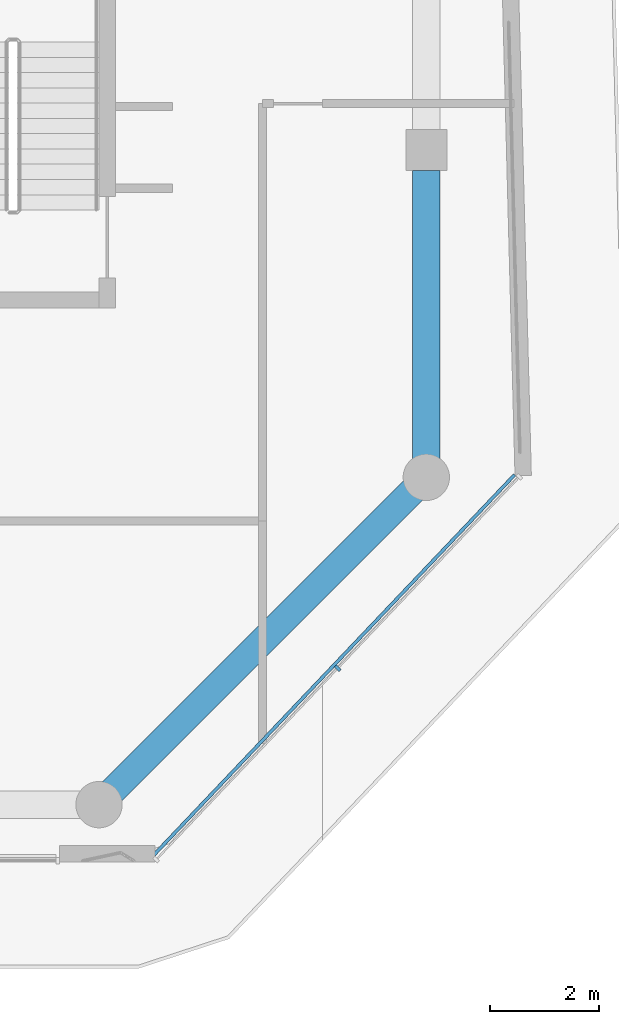
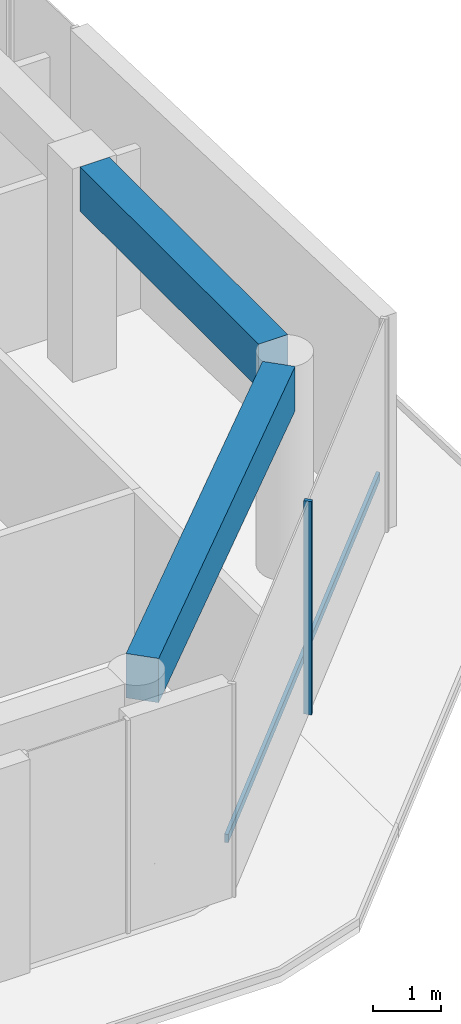
# One storey, part 3 of 20: 2 beams, 2 members, 1 element without a shape of its own.
"""IFC4 building model written with IfcOpenShell, lengths in metres."""

from ifc_helpers import new_model, si_unit, direction, frame, origin, origin_2d, place, context, subcontext, project, spatial, rectangle, extrude, material, layer, layer_set, material_profile, profile_set, type_object, element, aggregate, save


model = new_model("IFC4")

# Units and contexts
model_context = context("Model", 3, precision=1e-05, world=origin(), true_north=direction((0.0, 1.0)))
body_context = subcontext(model_context, "Body", "Model", "MODEL_VIEW")
ifc_project = project(units=[si_unit("LENGTHUNIT", "METRE"), si_unit("AREAUNIT", "SQUARE_METRE"), si_unit("VOLUMEUNIT", "CUBIC_METRE"), si_unit("PLANEANGLEUNIT", "RADIAN"), si_unit("MASSUNIT", "GRAM", prefix="KILO")], contexts=[model_context])

# Site, building, storey
site_placement = place(None, origin())
site = spatial("IfcSite", under=ifc_project, at=site_placement, CompositionType="ELEMENT")
building_placement = place(site_placement, origin())
building = spatial("IfcBuilding", under=site, at=building_placement, Name="Welwitschia Terrace Campus", CompositionType="ELEMENT")
storey_placement = place(building_placement, frame((0.0, 0.0, 293.60009765625)))
storey = spatial("IfcBuildingStorey", under=building, at=storey_placement, Name="L65", CompositionType="ELEMENT", Elevation=293.60009765625)

# Curtain wall, member
ifc_material_1 = material(Name="Bronze anodised aluminium", Category="aluminium")
ifc_layer = layer(ifc_material_1, 0.1201171875)
ifc_layer_set = layer_set([ifc_layer], Name="Bronze anodised aluminium")
curtain_wall_type = type_object("IfcCurtainWallType", Name="Curtain wall CW2 tower 6000", PredefinedType="NOTDEFINED", material=ifc_layer_set)
curtain_wall_placement = place(storey_placement, origin())
curtain_wall = element("IfcCurtainWall", 1, at=curtain_wall_placement, inside=storey, type_object=curtain_wall_type, Name="CW L65.5.0", PredefinedType="NOTDEFINED")
ifc_material_2 = material(Name="Bronze anodised aluminium", Category="aluminium")
ifc_material_profile_1 = material_profile(ifc_material_2, rectangle(XDim=0.1201171875, YDim=0.06005859375, at=origin_2d()))
ifc_profile_set_1 = profile_set([ifc_material_profile_1], Name="Bronze anodised aluminium")
member_type_1 = type_object("IfcMemberType", Name="Mullion 60x120", PredefinedType="MULLION", material=ifc_profile_set_1)
member_1_placement = place(storey_placement, frame((28.376708984375, -1.50048828125, 0.0), z_axis=(0.0, 0.0, 1.0), x_axis=(-0.725374371012, 0.688354575694, 0.0)))
member_1 = element("IfcMember", 2, at=member_1_placement, type_object=member_type_1, Name="Mullion L65.5.0.1", PredefinedType="MULLION", context=body_context, shape_type="SweptSolid", body=[
    extrude(rectangle(XDim=0.1201171875, YDim=0.06005859375, at=origin_2d()), origin(), (0.0, 0.0, 1.0), 3.849853515625),
])

# Beams
ifc_material_3 = material(Name="Concrete C50/60", Category="concrete")
ifc_material_profile_2 = material_profile(ifc_material_3, rectangle(XDim=0.5, YDim=0.800048828125, at=origin_2d()))
ifc_profile_set_2 = profile_set([ifc_material_profile_2], Name="Concrete C50/60")
beam_type = type_object("IfcBeamType", Name="Ring spandrel 500x800", PredefinedType="SPANDREL", material=ifc_profile_set_2)
beam_1_placement = place(storey_placement, frame((24.24365234375, -3.75634765625, 3.449951171875), z_axis=(0.707106781187, 0.707106781187, 0.0), x_axis=(-0.707106781187, 0.707106781187, 0.0)))
element("IfcBeam", 3, at=beam_1_placement, inside=storey, type_object=beam_type, Name="Spandrel SP4", PredefinedType="SPANDREL", context=body_context, shape_type="SweptSolid", body=[
    extrude(rectangle(XDim=0.5, YDim=0.800048828125, at=origin_2d()), origin(), (0.0, 0.0, 1.0), 7.796142578125),
])
beam_2_placement = place(storey_placement, frame((30.0, 2.344482421875, 3.449951171875), z_axis=(0.0, 1.0, 0.0), x_axis=(-1.0, 0.0, 0.0)))
element("IfcBeam", 4, at=beam_2_placement, inside=storey, type_object=beam_type, Name="Spandrel SP4", PredefinedType="SPANDREL", context=body_context, shape_type="SweptSolid", body=[
    extrude(rectangle(XDim=0.5, YDim=0.800048828125, at=origin_2d()), origin(), (0.0, 0.0, 1.0), 5.280029296875),
])

# Member
ifc_material_4 = material(Name="Bronze anodised aluminium", Category="aluminium")
ifc_material_profile_3 = material_profile(ifc_material_4, rectangle(XDim=0.06005859375, YDim=0.14990234375, at=origin_2d()))
ifc_profile_set_3 = profile_set([ifc_material_profile_3], Name="Bronze anodised aluminium")
member_type_2 = type_object("IfcMemberType", Name="Transom 60x150", PredefinedType="USERDEFINED", material=ifc_profile_set_3)
member_2_placement = place(storey_placement, frame((25.00341796875, -4.924560546875, 1.0), z_axis=(0.68834680866, 0.725381741573, 0.0), x_axis=(-0.725381741573, 0.68834680866, 0.0)))
member_2 = element("IfcMember", 5, at=member_2_placement, type_object=member_type_2, Name="Transom L65.5.0", ObjectType="TRANSOM", PredefinedType="USERDEFINED", context=body_context, shape_type="SweptSolid", body=[
    extrude(rectangle(XDim=0.06005859375, YDim=0.14990234375, at=origin_2d()), origin(), (0.0, 0.0, 1.0), 9.611328125),
])

aggregate(curtain_wall, [member_1, member_2])

save(model, "model.ifc")
